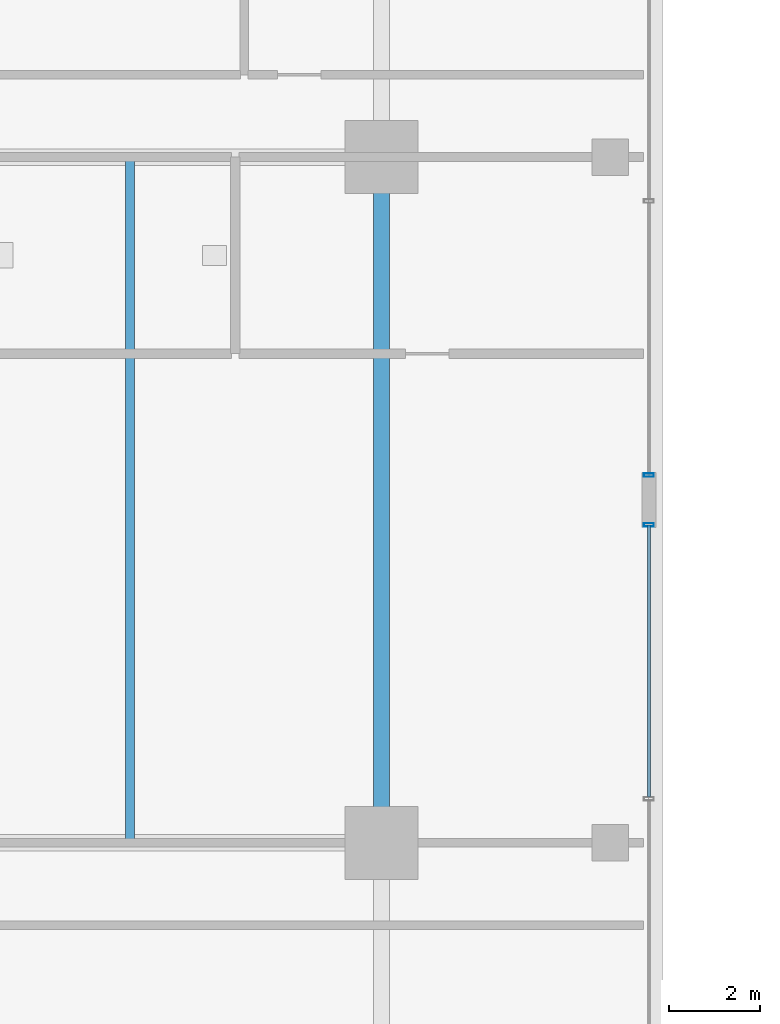
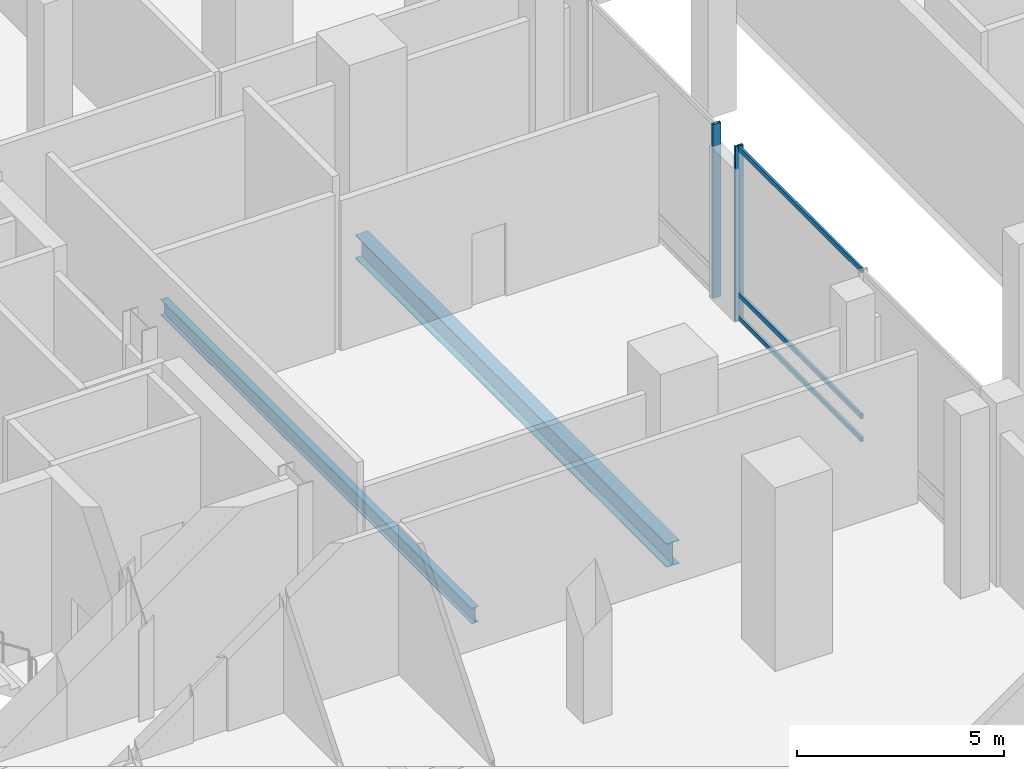
# One storey, part 9 of 32: 5 members, 2 beams, 2 elements without a shape of their own.
"""IFC4 building model written with IfcOpenShell, lengths in metres."""

from ifc_helpers import new_model, si_unit, direction, frame, origin, origin_2d, place, context, subcontext, project, spatial, hollow_rectangle, i_section, extrude, material, layer, layer_set, material_profile, profile_set, type_object, element, aggregate, save


model = new_model("IFC4")

# Units and contexts
model_context = context("Model", 3, precision=1e-05, world=origin(), true_north=direction((0.0, 1.0)))
body_context = subcontext(model_context, "Body", "Model", "MODEL_VIEW")
ifc_project = project(units=[si_unit("LENGTHUNIT", "METRE"), si_unit("AREAUNIT", "SQUARE_METRE"), si_unit("VOLUMEUNIT", "CUBIC_METRE"), si_unit("PLANEANGLEUNIT", "RADIAN"), si_unit("MASSUNIT", "GRAM", prefix="KILO")], contexts=[model_context])

# Site, building, storey
site_placement = place(None, origin())
site = spatial("IfcSite", under=ifc_project, at=site_placement, CompositionType="ELEMENT")
building_placement = place(site_placement, origin())
building = spatial("IfcBuilding", under=site, at=building_placement, Name="Barlavira Tower and Art Museum", CompositionType="ELEMENT")
storey_placement = place(building_placement, frame((0.0, 0.0, 6.0)))
storey = spatial("IfcBuildingStorey", under=building, at=storey_placement, Name="L01", CompositionType="ELEMENT", Elevation=6.0)

# Curtain wall, member
ifc_material_1 = material(Name="Low-iron coastal laminated glass", Category="glass")
ifc_layer = layer(ifc_material_1, 0.219970703125, Name="Low-iron coastal laminated glass")
ifc_layer_set = layer_set([ifc_layer], Name="Low-iron coastal laminated glass")
curtain_wall_type = type_object("IfcCurtainWallType", Name="Double-Height Podium Arcade Storefront Curtain Wall", PredefinedType="NOTDEFINED", material=ifc_layer_set)
curtain_wall_1_placement = place(storey_placement, origin())
curtain_wall_1 = element("IfcCurtainWall", 1, at=curtain_wall_1_placement, inside=storey, type_object=curtain_wall_type, Name="L01 Curtain Wall CW5-L01-ES", PredefinedType="NOTDEFINED")
ifc_material_2 = material(Name="Pale anodised aluminium", Category="aluminium")
ifc_material_profile_1 = material_profile(ifc_material_2, hollow_rectangle(XDim=0.074951171875, YDim=0.219970703125, WallThickness=0.0048828125, at=origin_2d()), Name="ALU-MULL 75x220x5")
ifc_profile_set_1 = profile_set([ifc_material_profile_1], Name="Pale anodised aluminium")
member_type_1 = type_object("IfcMemberType", Name="Curtain Wall Heavy Pale-Metal Mullion 75x220", PredefinedType="MULLION", material=ifc_profile_set_1)
member_1_placement = place(storey_placement, frame((22.85009765625, -0.544921875, 0.0), z_axis=(0.0, 0.0, 1.0), x_axis=(0.0, 1.0, 0.0)))
member_1 = element("IfcMember", 2, at=member_1_placement, type_object=member_type_1, Name="CW5-L01-ES Mullion 2", PredefinedType="MULLION", context=body_context, shape_type="SweptSolid", body=[
    extrude(hollow_rectangle(XDim=0.074951171875, YDim=0.219970703125, WallThickness=0.0048828125, at=origin_2d()), origin(), (0.0, 0.0, 1.0), 5.1201171875),
])

curtain_wall_2_placement = place(storey_placement, origin())
curtain_wall_2 = element("IfcCurtainWall", 3, at=curtain_wall_2_placement, inside=storey, type_object=curtain_wall_type, Name="L01 Curtain Wall CW5-L01-EN", PredefinedType="NOTDEFINED")
member_2_placement = place(storey_placement, frame((22.85009765625, 0.544921875, 0.0), z_axis=(0.0, 0.0, 1.0), x_axis=(0.0, 1.0, 0.0)))
member_2 = element("IfcMember", 4, at=member_2_placement, type_object=member_type_1, Name="CW5-L01-EN Mullion 0", PredefinedType="MULLION", context=body_context, shape_type="SweptSolid", body=[
    extrude(hollow_rectangle(XDim=0.074951171875, YDim=0.219970703125, WallThickness=0.0048828125, at=origin_2d()), origin(), (0.0, 0.0, 1.0), 5.1201171875),
])
aggregate(curtain_wall_2, [member_2])

# Member
ifc_material_profile_2 = material_profile(ifc_material_2, hollow_rectangle(XDim=0.06494140625, YDim=0.139892578125, WallThickness=0.00390625, at=origin_2d()), Name="ALU-TRAN 65x140x4")
ifc_profile_set_2 = profile_set([ifc_material_profile_2], Name="Pale anodised aluminium")
member_type_2 = type_object("IfcMemberType", Name="Curtain Wall Pale-Metal Transom 65x140", PredefinedType="USERDEFINED", material=ifc_profile_set_2)
member_3_placement = place(storey_placement, frame((22.85009765625, -6.4951171875, 0.070068359375), z_axis=(0.0, 1.0, 0.0), x_axis=(-1.0, 0.0, 0.0)))
member_3 = element("IfcMember", 5, at=member_3_placement, type_object=member_type_2, Name="CW5-L01-ES Transom 1.1", ObjectType="TRANSOM", PredefinedType="USERDEFINED", context=body_context, shape_type="SweptSolid", body=[
    extrude(hollow_rectangle(XDim=0.06494140625, YDim=0.139892578125, WallThickness=0.00390625, at=origin_2d()), origin(), (0.0, 0.0, 1.0), 5.9501953125),
])

member_4_placement = place(storey_placement, frame((22.85009765625, -6.4951171875, 0.75), z_axis=(0.0, 1.0, 0.0), x_axis=(-1.0, 0.0, 0.0)))
member_4 = element("IfcMember", 6, at=member_4_placement, type_object=member_type_2, Name="CW5-L01-ES Transom 1.2", ObjectType="TRANSOM", PredefinedType="USERDEFINED", context=body_context, shape_type="SweptSolid", body=[
    extrude(hollow_rectangle(XDim=0.06494140625, YDim=0.139892578125, WallThickness=0.00390625, at=origin_2d()), origin(), (0.0, 0.0, 1.0), 5.9501953125),
])

member_5_placement = place(storey_placement, frame((22.85009765625, -6.4951171875, 5.050048828125), z_axis=(0.0, 1.0, 0.0), x_axis=(-1.0, 0.0, 0.0)))
member_5 = element("IfcMember", 7, at=member_5_placement, type_object=member_type_2, Name="CW5-L01-ES Transom 1.3", ObjectType="TRANSOM", PredefinedType="USERDEFINED", context=body_context, shape_type="SweptSolid", body=[
    extrude(hollow_rectangle(XDim=0.06494140625, YDim=0.139892578125, WallThickness=0.00390625, at=origin_2d()), origin(), (0.0, 0.0, 1.0), 5.9501953125),
])

aggregate(curtain_wall_1, [member_1, member_3, member_4, member_5])

# Beams
ifc_material_3 = material(Name="Steel S355", Category="steel")
ifc_material_profile_3 = material_profile(ifc_material_3, i_section(OverallWidth=0.19189453125, OverallDepth=0.462890625, WebThickness=0.010498046875, FlangeThickness=0.017578125, at=origin_2d()), Name="W460x89.0")
ifc_profile_set_3 = profile_set([ifc_material_profile_3], Name="Steel S355")
beam_type_1 = type_object("IfcBeamType", Name="Podium Floor Joist W460x89 Steel S355", PredefinedType="JOIST", material=ifc_profile_set_3)
beam_1_placement = place(storey_placement, frame((11.5, -7.5, -0.511474609375), z_axis=(0.0, 1.0, 0.0), x_axis=(-1.0, 0.0, 0.0)))
element("IfcBeam", 8, at=beam_1_placement, inside=storey, type_object=beam_type_1, Name="L01 Joist W2", PredefinedType="JOIST", context=body_context, shape_type="SweptSolid", body=[
    extrude(i_section(OverallWidth=0.19189453125, OverallDepth=0.462890625, WebThickness=0.010498046875, FlangeThickness=0.017578125, at=origin_2d()), origin(), (0.0, 0.0, 1.0), 15.0),
])
ifc_material_profile_4 = material_profile(ifc_material_3, i_section(OverallWidth=0.35595703125, OverallDepth=0.695068359375, WebThickness=0.014892578125, FlangeThickness=0.023681640625, at=origin_2d()), Name="W690x192.0")
ifc_profile_set_4 = profile_set([ifc_material_profile_4], Name="Steel S355")
beam_type_2 = type_object("IfcBeamType", Name="Podium Primary Girder W690x192 Steel S355", PredefinedType="BEAM", material=ifc_profile_set_4)
beam_2_placement = place(storey_placement, frame((17.0, -7.5, -0.62744140625), z_axis=(0.0, 1.0, 0.0), x_axis=(-1.0, 0.0, 0.0)))
element("IfcBeam", 9, at=beam_2_placement, inside=storey, type_object=beam_type_2, Name="L01 Girder M-E2", PredefinedType="BEAM", context=body_context, shape_type="SweptSolid", body=[
    extrude(i_section(OverallWidth=0.35595703125, OverallDepth=0.695068359375, WebThickness=0.014892578125, FlangeThickness=0.023681640625, at=origin_2d()), origin(), (0.0, 0.0, 1.0), 15.0),
])

save(model, "model.ifc")
